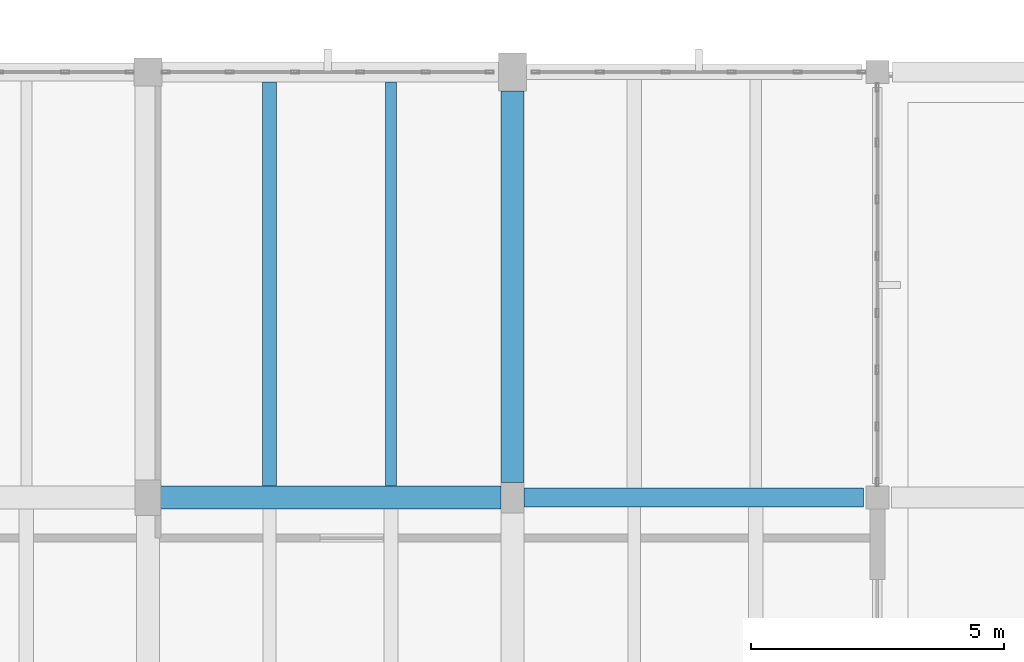
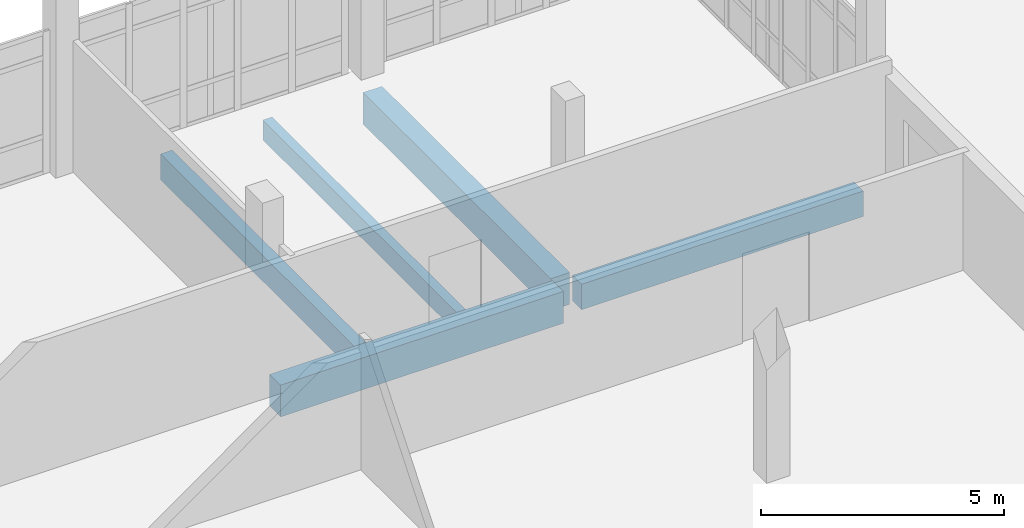
# One storey, part 39 of 62: 5 beams.
"""IFC4 building model written with IfcOpenShell, lengths in metres."""

from ifc_helpers import new_model, si_unit, direction, frame, origin, origin_2d, place, context, subcontext, project, spatial, rectangle, extrude, material, material_profile, profile_set, type_object, element, save


model = new_model("IFC4")

# Units and contexts
model_context = context("Model", 3, precision=1e-05, world=origin(), true_north=direction((0.0, 1.0)))
body_context = subcontext(model_context, "Body", "Model", "MODEL_VIEW")
ifc_project = project(units=[si_unit("LENGTHUNIT", "METRE"), si_unit("AREAUNIT", "SQUARE_METRE"), si_unit("VOLUMEUNIT", "CUBIC_METRE"), si_unit("PLANEANGLEUNIT", "RADIAN"), si_unit("MASSUNIT", "GRAM", prefix="KILO")], contexts=[model_context])

# Site, building, storey
site_placement = place(None, origin())
site = spatial("IfcSite", under=ifc_project, at=site_placement, CompositionType="ELEMENT")
building_placement = place(site_placement, origin())
building = spatial("IfcBuilding", under=site, at=building_placement, Name="Kalluvel Institute of Natural Sciences", CompositionType="ELEMENT")
storey_placement = place(building_placement, frame((0.0, 0.0, 27.89990234375)))
storey = spatial("IfcBuildingStorey", under=building, at=storey_placement, Name="L06", CompositionType="ELEMENT", Elevation=27.89990234375)

# Beams
ifc_material_1 = material(Name="Concrete M40", Category="concrete")
ifc_material_profile_1 = material_profile(ifc_material_1, rectangle(XDim=0.3798828125, YDim=0.639892578125, at=origin_2d()), Name="RCB 380x640")
ifc_profile_set_1 = profile_set([ifc_material_profile_1], Name="Concrete M40")
beam_type_1 = type_object("IfcBeamType", Name="BM-RC380x640", PredefinedType="BEAM", material=ifc_profile_set_1)
beam_1_placement = place(storey_placement, frame((100.625, 119.60009765625, -0.639892578125), z_axis=(1.0, 0.0, 0.0), x_axis=(0.0, 1.0, 0.0)))
element("IfcBeam", 1, at=beam_1_placement, inside=storey, type_object=beam_type_1, Name="L06 girder GIR-L06-EW-X1004-Y1196", PredefinedType="BEAM", context=body_context, shape_type="SweptSolid", body=[
    extrude(rectangle(XDim=0.3798828125, YDim=0.639892578125, at=origin_2d()), origin(), (0.0, 0.0, 1.0), 6.699951171875),
])
ifc_material_profile_2 = material_profile(ifc_material_1, rectangle(XDim=0.449951171875, YDim=0.800048828125, at=origin_2d()), Name="RCB 450x800")
ifc_profile_set_2 = profile_set([ifc_material_profile_2], Name="Concrete M40")
beam_type_2 = type_object("IfcBeamType", Name="BM-RC450x800", PredefinedType="BEAM", material=ifc_profile_set_2)
beam_2_placement = place(storey_placement, frame((93.449951171875, 119.60009765625, -0.719970703125), z_axis=(1.0, 0.0, 0.0), x_axis=(0.0, 1.0, 0.0)))
element("IfcBeam", 2, at=beam_2_placement, inside=storey, type_object=beam_type_2, Name="L06 girder GIR-L06-EW-X932-Y1196", PredefinedType="BEAM", context=body_context, shape_type="SweptSolid", body=[
    extrude(rectangle(XDim=0.449951171875, YDim=0.800048828125, at=origin_2d()), origin(), (0.0, 0.0, 1.0), 6.72509765625),
])
beam_3_placement = place(storey_placement, frame((100.39990234375, 119.89990234375, -0.719970703125), z_axis=(0.0, 1.0, 0.0), x_axis=(-1.0, 0.0, 0.0)))
element("IfcBeam", 3, at=beam_3_placement, inside=storey, type_object=beam_type_2, Name="L06 girder GIR-L06-NS-X1004-Y1196", PredefinedType="BEAM", context=body_context, shape_type="SweptSolid", body=[
    extrude(rectangle(XDim=0.449951171875, YDim=0.800048828125, at=origin_2d()), origin(), (0.0, 0.0, 1.0), 7.72509765625),
])
ifc_material_profile_3 = material_profile(ifc_material_1, rectangle(XDim=0.219970703125, YDim=0.5, at=origin_2d()), Name="WAF 220x500")
ifc_profile_set_3 = profile_set([ifc_material_profile_3], Name="Concrete M40")
beam_type_3 = type_object("IfcBeamType", Name="WJ-220x500", PredefinedType="JOIST", material=ifc_profile_set_3)
beam_4_placement = place(storey_placement, frame((98.0, 119.824951171875, -0.56982421875), z_axis=(0.0, 1.0, 0.0), x_axis=(-1.0, 0.0, 0.0)))
element("IfcBeam", 4, at=beam_4_placement, inside=storey, type_object=beam_type_3, Name="L06 waffle joist RIB-L06-0505", PredefinedType="JOIST", context=body_context, shape_type="SweptSolid", body=[
    extrude(rectangle(XDim=0.219970703125, YDim=0.5, at=origin_2d()), origin(), (0.0, 0.0, 1.0), 7.97509765625),
])
ifc_material_2 = material(Name="Concrete M50", Category="concrete")
ifc_material_profile_4 = material_profile(ifc_material_2, rectangle(XDim=0.280029296875, YDim=0.64990234375, at=origin_2d()), Name="WAF 280x650")
ifc_profile_set_4 = profile_set([ifc_material_profile_4], Name="Concrete M50")
beam_type_4 = type_object("IfcBeamType", Name="WJ-280x650", PredefinedType="JOIST", material=ifc_profile_set_4)
beam_5_placement = place(storey_placement, frame((95.60009765625, 119.824951171875, -0.64501953125), z_axis=(0.0, 1.0, 0.0), x_axis=(-1.0, 0.0, 0.0)))
element("IfcBeam", 5, at=beam_5_placement, inside=storey, type_object=beam_type_4, Name="L06 waffle joist RIB-L06-0504", PredefinedType="JOIST", context=body_context, shape_type="SweptSolid", body=[
    extrude(rectangle(XDim=0.280029296875, YDim=0.64990234375, at=origin_2d()), origin(), (0.0, 0.0, 1.0), 7.97509765625),
])

save(model, "model.ifc")
